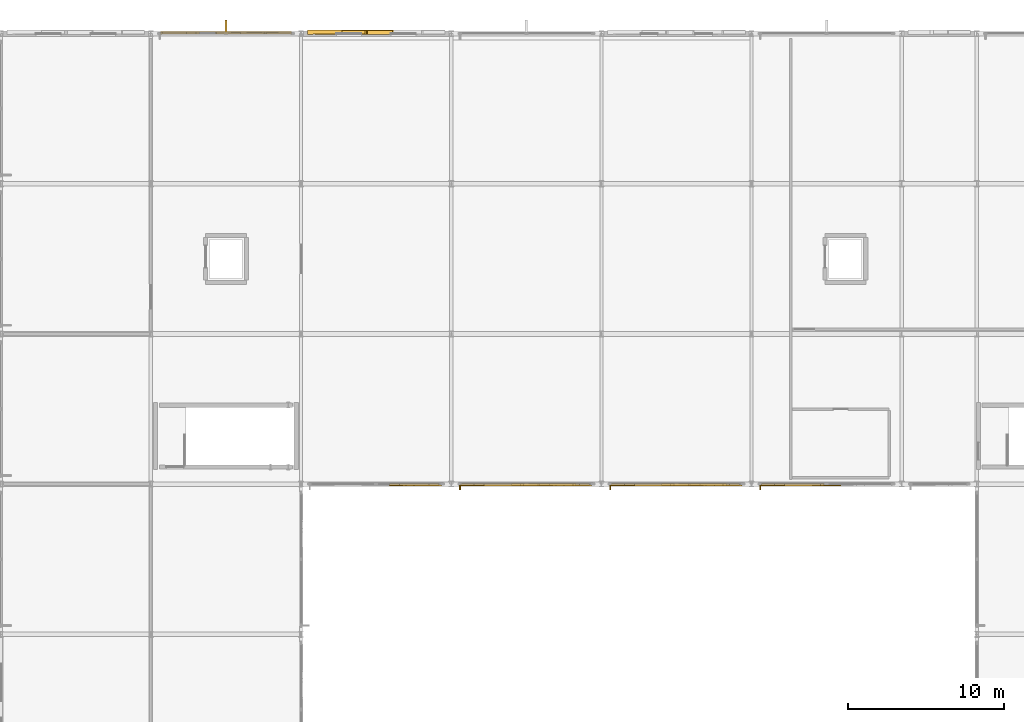
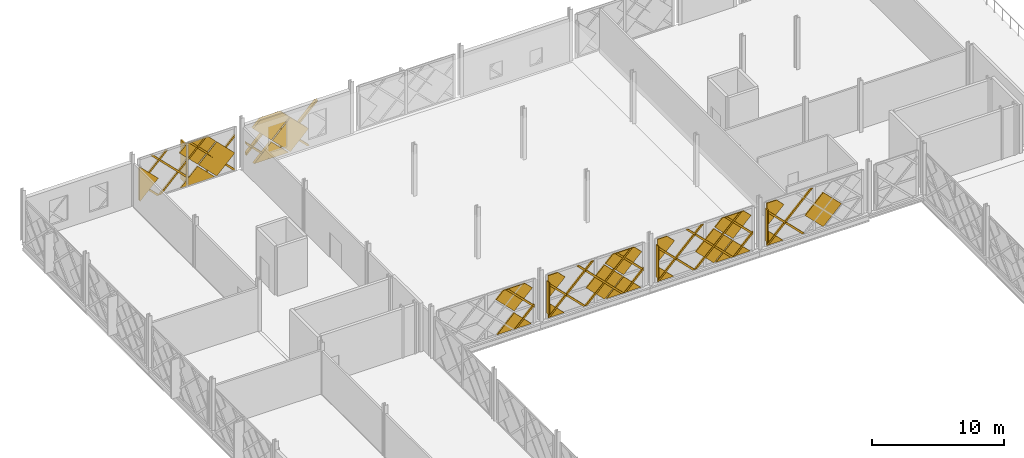
# One storey, part 66 of 77: 49 coverings, 3 shading devices.
"""IFC4 building model written with IfcOpenShell, lengths in metres."""

from ifc_helpers import new_model, si_unit, direction, frame, origin, origin_2d, place, context, subcontext, project, spatial, polyline, rectangle, outline, extrude, material, layer, layer_set, type_object, element, save


model = new_model("IFC4")

# Units and contexts
model_context = context("Model", 3, precision=1e-05, world=origin(), true_north=direction((0.0, 1.0)))
body_context = subcontext(model_context, "Body", "Model", "MODEL_VIEW")
ifc_project = project(units=[si_unit("LENGTHUNIT", "METRE"), si_unit("AREAUNIT", "SQUARE_METRE"), si_unit("VOLUMEUNIT", "CUBIC_METRE"), si_unit("PLANEANGLEUNIT", "RADIAN"), si_unit("MASSUNIT", "GRAM", prefix="KILO")], contexts=[model_context])

# Site, building, storey
site_placement = place(None, origin())
site = spatial("IfcSite", under=ifc_project, at=site_placement, CompositionType="ELEMENT")
building_placement = place(site_placement, origin())
building = spatial("IfcBuilding", under=site, at=building_placement, Name="Zevrakil Square Congress Hotel", CompositionType="ELEMENT")
storey_placement = place(building_placement, frame((0.0, 0.0, 9.89990234375)))
storey = spatial("IfcBuildingStorey", under=building, at=storey_placement, Name="L03", CompositionType="ELEMENT", Elevation=9.89990234375)

# Coverings
ifc_material_1 = material(Name="Architectural White Fibre-C GRC", Category="concrete")
ifc_layer_1 = layer(ifc_material_1, 0.06494140625)
ifc_layer_set_1 = layer_set([ifc_layer_1], Name="Architectural White Fibre-C GRC")
covering_type_1 = type_object("IfcCoveringType", Name="COV-DIA-WHITE", PredefinedType="CLADDING", material=ifc_layer_set_1)
covering_1_placement = place(storey_placement, frame((60.919921875, 112.89404296875, 1.590087890625), z_axis=(0.0, 0.999999790873, 0.000646725815), x_axis=(-0.707106707249, 0.000457304257, -0.707106707249)))
element("IfcCovering", 1, at=covering_1_placement, inside=storey, type_object=covering_type_1, Name="L03 45-degree white GRC diamond facade cassette 623", PredefinedType="CLADDING", context=body_context, shape_type="SweptSolid", body=[
    extrude(outline(polyline([(0.0, 0.0), (2.1354765131557993, 0.0), (4.465861884739297e-07, -2.1354765131557527), (0.0, 0.0)])), origin(), (0.0, 0.0, -1.0), 0.1201171875),
])
covering_2_placement = place(storey_placement, frame((62.60009765625, 112.89306640625, 3.27001953125), z_axis=(0.0, 0.999999812555, 0.000612282237), x_axis=(-0.707161000838, 0.000432915721, -0.707052424844)))
element("IfcCovering", 2, at=covering_2_placement, inside=storey, type_object=covering_type_1, Name="L03 45-degree white GRC diamond facade cassette 624", PredefinedType="CLADDING", context=body_context, shape_type="SweptSolid", body=[
    extrude(outline(polyline([(0.0, 0.0), (2.2485514454845923, 0.0), (2.248379222880032, -2.2487240657380214), (0.013983748838055643, -2.248379882955194), (-0.0001711092764935529, -2.234222853853795), (0.0, 0.0)])), origin(), (0.0, 0.0, -1.0), 0.1201171875),
])
covering_3_placement = place(storey_placement, frame((55.8798828125, 112.89501953125, 0.090087890625), z_axis=(4.3911e-08, 0.999999810879, 0.000615014432), x_axis=(0.707106714509, -0.000434911966, 0.707106714116)))
element("IfcCovering", 3, at=covering_3_placement, inside=storey, type_object=covering_type_1, Name="L03 45-degree white GRC diamond facade cassette 625", PredefinedType="CLADDING", context=body_context, shape_type="SweptSolid", body=[
    extrude(outline(polyline([(0.0, 0.0), (2.2487240723345274, -2.220446049250313e-16), (2.248551862954323, -2.2485514388919943), (2.1639614601190895, -2.2485514548663854), (0.00017263345166069338, -0.0847630362800969), (0.0, 0.0)])), origin(), (0.0, 0.0, -1.0), 0.1201171875),
])
covering_4_placement = place(storey_placement, frame((59.330078125, 112.89306640625, 3.360107421875), z_axis=(0.0, 0.999999833525, 0.000577018806), x_axis=(0.70705245556, 0.000408045255, -0.707160984914)))
element("IfcCovering", 4, at=covering_4_placement, inside=storey, type_object=covering_type_1, Name="L03 45-degree white GRC diamond facade cassette 626", PredefinedType="CLADDING", context=body_context, shape_type="SweptSolid", body=[
    extrude(outline(polyline([(0.0, 0.0), (2.2485513450909322, -2.220446049250313e-16), (2.2483784750178573, -2.2487239653021844), (1.3361829853145168, -2.248654009101226), (-7.020279398489704e-05, -0.9121954896843962), (0.0, 0.0)])), origin(), (0.0, 0.0, -1.0), 0.1201171875),
])
covering_5_placement = place(storey_placement, frame((67.3798828125, 112.9990234375, 1.590087890625), z_axis=(0.0, 0.999999790873, 0.000646725815), x_axis=(-0.707049537273, 0.000457341227, -0.707163872579)))
element("IfcCovering", 5, at=covering_5_placement, inside=storey, type_object=covering_type_1, Name="L03 45-degree white GRC diamond facade cassette 647", PredefinedType="CLADDING", context=body_context, shape_type="SweptSolid", body=[
    extrude(outline(polyline([(0.0, 0.0), (2.135303886660825, 0.0), (0.00017309405212095896, -2.1354765061406087), (0.0, 0.0)])), origin(), (0.0, 0.0, -1.0), 0.239990234375),
])
covering_6_placement = place(storey_placement, frame((69.06005859375, 112.998046875, 3.27001953125), z_axis=(0.0, 0.999999811377, 0.000614203339), x_axis=(-0.707161000837, 0.000434274042, -0.707052424012)))
element("IfcCovering", 6, at=covering_6_placement, inside=storey, type_object=covering_type_1, Name="L03 45-degree white GRC diamond facade cassette 648", PredefinedType="CLADDING", context=body_context, shape_type="SweptSolid", body=[
    extrude(outline(polyline([(0.0, 0.0), (2.2485514454867683, 0.0), (2.2483792228863573, -2.248724065739994), (-0.0001721960923970478, -2.248378798790573), (0.0, 0.0)])), origin(), (0.0, 0.0, -1.0), 0.239990234375),
])
covering_7_placement = place(storey_placement, frame((65.7900390625, 112.998046875, 3.360107421875), z_axis=(0.0, 0.999999833525, 0.000577018806), x_axis=(0.70705245556, 0.000408045255, -0.707160984914)))
element("IfcCovering", 7, at=covering_7_placement, inside=storey, type_object=covering_type_1, Name="L03 45-degree white GRC diamond facade cassette 650", PredefinedType="CLADDING", context=body_context, shape_type="SweptSolid", body=[
    extrude(outline(polyline([(0.0, 0.0), (2.2485513450909322, -2.220446049250313e-16), (2.2483784750178573, -2.2487239653021844), (1.3361829853145168, -2.248654009101226), (-7.020279398489704e-05, -0.9121954896843962), (0.0, 0.0)])), origin(), (0.0, 0.0, -1.0), 0.239990234375),
])
covering_8_placement = place(storey_placement, frame((72.0400390625, 83.906005859375, 1.590087890625), z_axis=(0.0, -0.999999790873, 0.000646725815), x_axis=(0.707106707249, -0.000457304257, -0.707106707249)))
element("IfcCovering", 8, at=covering_8_placement, inside=storey, type_object=covering_type_1, Name="L03 45-degree white GRC diamond facade cassette 1545", PredefinedType="CLADDING", context=body_context, shape_type="SweptSolid", body=[
    extrude(outline(polyline([(0.0, 0.0), (2.1354765131557993, 0.0), (4.465861884739297e-07, -2.1354765131557527), (0.0, 0.0)])), origin(), (0.0, 0.0, -1.0), 0.1201171875),
])
covering_9_placement = place(storey_placement, frame((73.6298828125, 83.906982421875, 3.360107421875), z_axis=(0.0, -0.999999775377, 0.000670258835), x_axis=(-0.707052424547, -0.000473980998, -0.707160974802)))
element("IfcCovering", 9, at=covering_9_placement, inside=storey, type_object=covering_type_1, Name="L03 45-degree white GRC diamond facade cassette 1548", PredefinedType="CLADDING", context=body_context, shape_type="SweptSolid", body=[
    extrude(outline(polyline([(0.0, 0.0), (2.248551443717164, -2.220446049250313e-16), (2.2483783763992125, -2.248724063905673), (1.3361828810270209, -2.248654073371083), (-0.00024286869142081668, -0.9120228485912198), (0.0, 0.0)])), origin(), (0.0, 0.0, -1.0), 0.1201171875),
])
covering_10_placement = place(storey_placement, frame((76.429931640625, 83.905029296875, 0.080078125), z_axis=(0.0, -0.999999760125, 0.000692640526), x_axis=(-1.0, 0.0, 0.0)))
element("IfcCovering", 10, at=covering_10_placement, inside=storey, type_object=covering_type_1, Name="L03 45-degree white GRC diamond facade cassette 1586", PredefinedType="CLADDING", context=body_context, shape_type="SweptSolid", body=[
    extrude(outline(polyline([(0.0, 0.0), (1.409912109375, 0.0), (1.409912109375, -1.4099124475784228), (0.0, 0.0)])), origin(), (0.0, 0.0, -1.0), 0.1201171875),
])
covering_11_placement = place(storey_placement, frame((81.639892578125, 83.906005859375, 1.590087890625), z_axis=(0.0, -0.999999790873, 0.000646725815), x_axis=(0.707106707249, -0.000457304257, -0.707106707249)))
element("IfcCovering", 11, at=covering_11_placement, inside=storey, type_object=covering_type_1, Name="L03 45-degree white GRC diamond facade cassette 1587", PredefinedType="CLADDING", context=body_context, shape_type="SweptSolid", body=[
    extrude(outline(polyline([(0.0, 0.0), (2.1354765131557993, 0.0), (4.465861884739297e-07, -2.1354765131557527), (0.0, 0.0)])), origin(), (0.0, 0.0, -1.0), 0.1201171875),
])
covering_12_placement = place(storey_placement, frame((79.9599609375, 83.906982421875, 3.27001953125), z_axis=(0.0, -0.999999811377, 0.000614203339), x_axis=(0.707161000837, -0.000434274042, -0.707052424012)))
element("IfcCovering", 12, at=covering_12_placement, inside=storey, type_object=covering_type_1, Name="L03 45-degree white GRC diamond facade cassette 1588", PredefinedType="CLADDING", context=body_context, shape_type="SweptSolid", body=[
    extrude(outline(polyline([(0.0, 0.0), (2.2485514454867683, 0.0), (2.2483792228863573, -2.248724065739994), (-0.0001721960923970478, -2.248378798790573), (0.0, 0.0)])), origin(), (0.0, 0.0, -1.0), 0.1201171875),
])
covering_13_placement = place(storey_placement, frame((76.510009765625, 83.906982421875, 3.360107421875), z_axis=(-2.6201832e-05, -0.999999757117, 0.000696476053), x_axis=(-0.707106705563, -0.000473955506, -0.70710669797)))
element("IfcCovering", 13, at=covering_13_placement, inside=storey, type_object=covering_type_1, Name="L03 45-degree white GRC diamond facade cassette 1589", PredefinedType="CLADDING", context=body_context, shape_type="SweptSolid", body=[
    extrude(outline(polyline([(0.0, 0.0), (2.1071646234335564, 0.0), (0.5974842236581275, -1.5096800770776109), (-2.2652588360649872e-07, -0.9121954995045182), (0.0, 0.0)])), origin(), (0.0, 0.0, -1.0), 0.1201171875),
])
covering_14_placement = place(storey_placement, frame((83.22998046875, 83.906982421875, 3.360107421875), z_axis=(0.0, -0.999999775378, 0.000670257195), x_axis=(-0.707106715065, -0.000473943452, -0.707106688476)))
element("IfcCovering", 14, at=covering_14_placement, inside=storey, type_object=covering_type_1, Name="L03 45-degree white GRC diamond facade cassette 1590", PredefinedType="CLADDING", context=body_context, shape_type="SweptSolid", body=[
    extrude(outline(polyline([(0.0, 0.0), (2.2487240705656193, 0.0), (2.2485510165332463, -2.248551437057936), (1.3363555184760192, -2.248551480726338), (-2.1426746327213309e-07, -0.9121954980572029), (0.0, 0.0)])), origin(), (0.0, 0.0, -1.0), 0.1201171875),
])
covering_15_placement = place(storey_placement, frame((86.030029296875, 83.905029296875, 0.080078125), z_axis=(0.0, -0.999999760125, 0.000692640526), x_axis=(-1.0, 0.0, 0.0)))
element("IfcCovering", 15, at=covering_15_placement, inside=storey, type_object=covering_type_1, Name="L03 45-degree white GRC diamond facade cassette 1628", PredefinedType="CLADDING", context=body_context, shape_type="SweptSolid", body=[
    extrude(outline(polyline([(0.0, 0.0), (1.409912109375, 0.0), (1.409912109375, -1.4099124475784228), (0.0, 0.0)])), origin(), (0.0, 0.0, -1.0), 0.1201171875),
])
covering_16_placement = place(storey_placement, frame((91.239990234375, 83.906005859375, 1.590087890625), z_axis=(0.0, -0.999999790873, 0.000646725815), x_axis=(0.707106707249, -0.000457304257, -0.707106707249)))
element("IfcCovering", 16, at=covering_16_placement, inside=storey, type_object=covering_type_1, Name="L03 45-degree white GRC diamond facade cassette 1629", PredefinedType="CLADDING", context=body_context, shape_type="SweptSolid", body=[
    extrude(outline(polyline([(0.0, 0.0), (2.1354765131557993, 0.0), (4.465861884739297e-07, -2.1354765131557527), (0.0, 0.0)])), origin(), (0.0, 0.0, -1.0), 0.1201171875),
])
covering_17_placement = place(storey_placement, frame((89.56005859375, 83.906982421875, 3.27001953125), z_axis=(0.0, -0.999999811377, 0.000614203339), x_axis=(0.707106714488, -0.000434307387, -0.707106714509)))
element("IfcCovering", 17, at=covering_17_placement, inside=storey, type_object=covering_type_1, Name="L03 45-degree white GRC diamond facade cassette 1630", PredefinedType="CLADDING", context=body_context, shape_type="SweptSolid", body=[
    extrude(outline(polyline([(0.0, 0.0), (2.2483788053845455, -2.220446049250313e-16), (2.2485518630206376, -2.24855143882716), (-0.00017220931434658304, -2.2485514388922905), (0.0, 0.0)])), origin(), (0.0, 0.0, -1.0), 0.1201171875),
])
covering_18_placement = place(storey_placement, frame((86.110107421875, 83.906982421875, 3.360107421875), z_axis=(-2.6201832e-05, -0.999999757117, 0.000696476053), x_axis=(-0.707106705563, -0.000473955506, -0.70710669797)))
element("IfcCovering", 18, at=covering_18_placement, inside=storey, type_object=covering_type_1, Name="L03 45-degree white GRC diamond facade cassette 1631", PredefinedType="CLADDING", context=body_context, shape_type="SweptSolid", body=[
    extrude(outline(polyline([(0.0, 0.0), (2.1071646234335564, 0.0), (0.5974842236581275, -1.5096800770776109), (-2.2652588360649872e-07, -0.9121954995045182), (0.0, 0.0)])), origin(), (0.0, 0.0, -1.0), 0.1201171875),
])
covering_19_placement = place(storey_placement, frame((92.830078125, 83.906982421875, 3.360107421875), z_axis=(0.0, -0.999999775377, 0.00067025786), x_axis=(-0.707106715065, -0.000473943922, -0.707106688476)))
element("IfcCovering", 19, at=covering_19_placement, inside=storey, type_object=covering_type_1, Name="L03 45-degree white GRC diamond facade cassette 1632", PredefinedType="CLADDING", context=body_context, shape_type="SweptSolid", body=[
    extrude(outline(polyline([(0.0, 0.0), (2.2487240705655767, 0.0), (2.2487236500086456, -2.2487240705655376), (1.3365281519513923, -2.248724114233983), (-2.142674725980065e-07, -0.9121954980572293), (0.0, 0.0)])), origin(), (0.0, 0.0, -1.0), 0.1201171875),
])
covering_20_placement = place(storey_placement, frame((95.6298828125, 83.905029296875, 0.080078125), z_axis=(0.0, -0.999999760125, 0.000692640526), x_axis=(-1.0, 0.0, 0.0)))
element("IfcCovering", 20, at=covering_20_placement, inside=storey, type_object=covering_type_1, Name="L03 45-degree white GRC diamond facade cassette 1670", PredefinedType="CLADDING", context=body_context, shape_type="SweptSolid", body=[
    extrude(outline(polyline([(0.0, 0.0), (1.409912109375, 0.0), (1.409912109375, -1.4099124475784228), (0.0, 0.0)])), origin(), (0.0, 0.0, -1.0), 0.1201171875),
])
covering_21_placement = place(storey_placement, frame((99.159912109375, 83.906982421875, 3.27001953125), z_axis=(0.0, -0.999999811377, 0.000614203339), x_axis=(0.707161000837, -0.000434274042, -0.707052424012)))
element("IfcCovering", 21, at=covering_21_placement, inside=storey, type_object=covering_type_1, Name="L03 45-degree white GRC diamond facade cassette 1672", PredefinedType="CLADDING", context=body_context, shape_type="SweptSolid", body=[
    extrude(outline(polyline([(0.0, 0.0), (2.2485514454867683, 0.0), (2.2483792228863573, -2.248724065739994), (-0.0001721960923970478, -2.248378798790573), (0.0, 0.0)])), origin(), (0.0, 0.0, -1.0), 0.1201171875),
])
covering_22_placement = place(storey_placement, frame((95.7099609375, 83.906982421875, 3.360107421875), z_axis=(-2.6201832e-05, -0.999999757117, 0.000696476053), x_axis=(-0.707106705563, -0.000473955506, -0.70710669797)))
element("IfcCovering", 22, at=covering_22_placement, inside=storey, type_object=covering_type_1, Name="L03 45-degree white GRC diamond facade cassette 1673", PredefinedType="CLADDING", context=body_context, shape_type="SweptSolid", body=[
    extrude(outline(polyline([(0.0, 0.0), (2.1071646234335564, 0.0), (0.5974842236581275, -1.5096800770776109), (-2.2652588360649872e-07, -0.9121954995045182), (0.0, 0.0)])), origin(), (0.0, 0.0, -1.0), 0.1201171875),
])
ifc_material_2 = material(Name="Anodised Champagne Aluminium", Category="aluminium")
ifc_layer_2 = layer(ifc_material_2, 0.0849609375)
ifc_layer_set_2 = layer_set([ifc_layer_2], Name="Anodised Champagne Aluminium")
covering_type_2 = type_object("IfcCoveringType", Name="COV-DIAGRID-45", PredefinedType="MOLDING", material=ifc_layer_set_2)
covering_23_placement = place(storey_placement, frame((64.093994140625, 112.919921875, 0.080078125), z_axis=(-0.000186814305, 0.999999885222, 0.000441199743), x_axis=(0.99999998255, 0.000186814287, 8.2422e-08)))
element("IfcCovering", 23, at=covering_23_placement, inside=storey, type_object=covering_type_2, Name="L03 45-degree aluminium diagrid rib 627", PredefinedType="MOLDING", context=body_context, shape_type="SweptSolid", body=[
    extrude(outline(polyline([(0.0, 0.0), (0.08593749850040845, 0.0), (0.08593750890382487, -0.12622069084011384), (-3.7128906927883554, -3.9250495232532634), (-3.9250488922112385, -3.9250495232532634), (0.0, 0.0)])), origin(), (0.0, 0.0, -1.0), 0.14501953125),
])
covering_24_placement = place(storey_placement, frame((60.73388671875, 112.919921875, 0.080078125), z_axis=(0.0, 0.999999806554, 0.000622006473), x_axis=(1.0, 0.0, 0.0)))
element("IfcCovering", 24, at=covering_24_placement, inside=storey, type_object=covering_type_2, Name="L03 45-degree aluminium diagrid rib 628", PredefinedType="MOLDING", context=body_context, shape_type="SweptSolid", body=[
    extrude(outline(polyline([(0.0, 0.0), (0.212158203125, 0.0), (-3.712890625, -3.9250495874103186), (-3.925048828125, -3.9250495874103186), (0.0, 0.0)])), origin(), (0.0, 0.0, -1.0), 0.14501953125),
])
covering_25_placement = place(storey_placement, frame((57.373779296875, 112.919921875, 0.080078125), z_axis=(-0.000293980909, 0.999999913476, 0.000294319207), x_axis=(0.999999956788, 0.000293980897, 8.6524e-08)))
element("IfcCovering", 25, at=covering_25_placement, inside=storey, type_object=covering_type_2, Name="L03 45-degree aluminium diagrid rib 629", PredefinedType="MOLDING", context=body_context, shape_type="SweptSolid", body=[
    extrude(outline(polyline([(0.0, 0.0), (0.21240233457158741, 0.0), (-1.5537110046395635, -1.7661134921773871), (-1.553711022996389, -1.5539552982413625), (0.0, 0.0)])), origin(), (0.0, 0.0, -1.0), 0.14501953125),
])
covering_26_placement = place(storey_placement, frame((64.179931640625, 112.918212890625, 3.154052734375), z_axis=(-0.000287317256, 0.999999586254, 0.000863099624), x_axis=(-8.2646e-08, -0.000863099684, 0.999999627529)))
element("IfcCovering", 26, at=covering_26_placement, inside=storey, type_object=covering_type_2, Name="L03 45-degree aluminium diagrid rib 630", PredefinedType="MOLDING", context=body_context, shape_type="SweptSolid", body=[
    extrude(outline(polyline([(0.0, 0.0), (0.212158334820002, 0.0), (-3.0739746678474664, -3.286133202189314), (-3.0739746854017027, -3.07373086720635), (0.0, 0.0)])), origin(), (0.0, 0.0, -1.0), 0.14501953125),
])
covering_27_placement = place(storey_placement, frame((61.671142578125, 112.91748046875, 4.005126953125), z_axis=(0.0, 0.999999806554, 0.000622006473), x_axis=(-1.0, 0.0, 0.0)))
element("IfcCovering", 27, at=covering_27_placement, inside=storey, type_object=covering_type_2, Name="L03 45-degree aluminium diagrid rib 631", PredefinedType="MOLDING", context=body_context, shape_type="SweptSolid", body=[
    extrude(outline(polyline([(0.0, 0.0), (0.212158203125, 0.0), (4.13720703125, -3.9250495874103186), (3.925048828125, -3.9250495874103186), (0.0, 0.0)])), origin(), (0.0, 0.0, -1.0), 0.14501953125),
])
covering_28_placement = place(storey_placement, frame((58.31103515625, 112.91748046875, 4.005126953125), z_axis=(-0.00024217289, 0.99999955887, 0.00090753025), x_axis=(-0.999999970676, -0.00024217279, -2.19779e-07)))
element("IfcCovering", 28, at=covering_28_placement, inside=storey, type_object=covering_type_2, Name="L03 45-degree aluminium diagrid rib 632", PredefinedType="MOLDING", context=body_context, shape_type="SweptSolid", body=[
    extrude(outline(polyline([(0.0, 0.0), (0.21215819690370366, -5.6157808774107894e-24), (2.490966869919751, -2.2788089847137165), (2.490966857477158, -2.4912114625602326), (0.0, 0.0)])), origin(), (0.0, 0.0, -1.0), 0.14501953125),
])
covering_29_placement = place(storey_placement, frame((70.553955078125, 113.02490234375, 0.080078125), z_axis=(0.0, 0.999999843309, 0.000559805846), x_axis=(1.0, 0.0, 0.0)))
element("IfcCovering", 29, at=covering_29_placement, inside=storey, type_object=covering_type_2, Name="L03 45-degree aluminium diagrid rib 652", PredefinedType="MOLDING", context=body_context, shape_type="SweptSolid", body=[
    extrude(outline(polyline([(0.0, 0.0), (0.212158203125, 0.0), (-3.712890625, -3.9250494431461194), (-3.925048828125, -3.9250494431461194), (0.0, 0.0)])), origin(), (0.0, 0.0, -1.0), 0.264892578125),
])
covering_30_placement = place(storey_placement, frame((67.19384765625, 113.02490234375, 0.080078125), z_axis=(-0.000290646956, 0.999999915524, 0.000290646956), x_axis=(0.999999957762, 0.000290646943, 8.4476e-08)))
element("IfcCovering", 30, at=covering_30_placement, inside=storey, type_object=covering_type_2, Name="L03 45-degree aluminium diagrid rib 653", PredefinedType="MOLDING", context=body_context, shape_type="SweptSolid", body=[
    extrude(outline(polyline([(0.0, 0.0), (0.21215819416389847, -2.8078904387053947e-24), (-1.9938965685928591, -2.2060549491146975), (-1.9938965865150626, -1.9938967549507998), (0.0, 0.0)])), origin(), (0.0, 0.0, -1.0), 0.264892578125),
])
covering_31_placement = place(storey_placement, frame((71.4912109375, 113.022705078125, 4.005126953125), z_axis=(0.0, 0.999999843309, 0.000559805846), x_axis=(-1.0, 0.0, 0.0)))
element("IfcCovering", 31, at=covering_31_placement, inside=storey, type_object=covering_type_2, Name="L03 45-degree aluminium diagrid rib 655", PredefinedType="MOLDING", context=body_context, shape_type="SweptSolid", body=[
    extrude(outline(polyline([(0.0, 0.0), (0.21240234375, 0.0), (4.13720703125, -3.9250494431461194), (3.925048828125, -3.9250494431461194), (0.0, 0.0)])), origin(), (0.0, 0.0, -1.0), 0.264892578125),
])
covering_32_placement = place(storey_placement, frame((68.131103515625, 113.022705078125, 4.005126953125), z_axis=(-0.000294511409, 0.999999590061, 0.000856236106), x_axis=(-0.999999956632, -0.000294511301, -2.52171e-07)))
element("IfcCovering", 32, at=covering_32_placement, inside=storey, type_object=covering_type_2, Name="L03 45-degree aluminium diagrid rib 656", PredefinedType="MOLDING", context=body_context, shape_type="SweptSolid", body=[
    extrude(outline(polyline([(0.0, 0.0), (0.21215819392401997, 0.0), (2.9311524708696437, -2.7189943981748455), (2.9311524524676837, -2.931152732570991), (0.0, 0.0)])), origin(), (0.0, 0.0, -1.0), 0.264892578125),
])
covering_33_placement = place(storey_placement, frame((72.22607421875, 83.8798828125, 0.080078125), z_axis=(0.000367674044, -0.999999864816, 0.000367674044), x_axis=(-0.999999932408, -0.000367674019, 1.35184e-07)))
element("IfcCovering", 33, at=covering_33_placement, inside=storey, type_object=covering_type_2, Name="L03 45-degree aluminium diagrid rib 1551", PredefinedType="MOLDING", context=body_context, shape_type="SweptSolid", body=[
    extrude(outline(polyline([(0.0, 0.0), (0.21215818878478077, 0.0), (-1.5539551831600997, -1.766113610695557), (-1.553955211840539, -1.553955421910778), (0.0, 0.0)])), origin(), (0.0, 0.0, -1.0), 0.14501953125),
])
covering_34_placement = place(storey_placement, frame((71.288818359375, 83.88232421875, 4.005126953125), z_axis=(0.000293209811, -0.999999590462, 0.000856215006), x_axis=(0.999999957014, 0.000293209703, -2.51051e-07)))
element("IfcCovering", 34, at=covering_34_placement, inside=storey, type_object=covering_type_2, Name="L03 45-degree aluminium diagrid rib 1554", PredefinedType="MOLDING", context=body_context, shape_type="SweptSolid", body=[
    extrude(outline(polyline([(0.0, 0.0), (0.21240233461967334, -1.124448645189272e-23), (2.4912110445871916, -2.2788088036321503), (2.4912110263265377, -2.4912112785624863), (0.0, 0.0)])), origin(), (0.0, 0.0, -1.0), 0.14501953125),
])
covering_35_placement = place(storey_placement, frame((75.106201171875, 83.8798828125, 0.080078125), z_axis=(-0.000393887751, -0.999999419193, 0.001003227443), x_axis=(-0.999999922426, 0.000393887553, -3.95159e-07)))
element("IfcCovering", 35, at=covering_35_placement, inside=storey, type_object=covering_type_2, Name="L03 45-degree aluminium diagrid rib 1591", PredefinedType="MOLDING", context=body_context, shape_type="SweptSolid", body=[
    extrude(outline(polyline([(0.0, 0.0), (0.0861816339395641, 4.562418066112793e-24), (0.08618168022626656, -0.12622088453518898), (-3.7126467857499277, -3.9250493021974093), (-3.9248049724170135, -3.9250493021974093), (0.0, 0.0)])), origin(), (0.0, 0.0, -1.0), 0.14501953125),
])
covering_36_placement = place(storey_placement, frame((78.466064453125, 83.8798828125, 0.080078125), z_axis=(0.0, -0.999999806554, 0.000622006473), x_axis=(-1.0, 0.0, 0.0)))
element("IfcCovering", 36, at=covering_36_placement, inside=storey, type_object=covering_type_2, Name="L03 45-degree aluminium diagrid rib 1592", PredefinedType="MOLDING", context=body_context, shape_type="SweptSolid", body=[
    extrude(outline(polyline([(0.0, 0.0), (0.212158203125, 0.0), (-3.712890625, -3.9250495874103186), (-3.925048828125, -3.9250495874103186), (0.0, 0.0)])), origin(), (0.0, 0.0, -1.0), 0.14501953125),
])
covering_37_placement = place(storey_placement, frame((81.826171875, 83.8798828125, 0.080078125), z_axis=(0.000367701083, -0.999999864796, 0.000367701083), x_axis=(-0.999999932398, -0.000367701058, 1.35204e-07)))
element("IfcCovering", 37, at=covering_37_placement, inside=storey, type_object=covering_type_2, Name="L03 45-degree aluminium diagrid rib 1593", PredefinedType="MOLDING", context=body_context, shape_type="SweptSolid", body=[
    extrude(outline(polyline([(0.0, 0.0), (0.2121581887826715, 0.0), (-1.5537110425340446, -1.7661136107110047), (-1.5537110712187026, -1.5539554219283351), (0.0, 0.0)])), origin(), (0.0, 0.0, -1.0), 0.14501953125),
])
covering_38_placement = place(storey_placement, frame((75.02001953125, 83.8818359375, 3.154052734375), z_axis=(0.000249090824, -0.999999562484, 0.000901656659), x_axis=(6.2046e-08, 0.000901656702, 0.999999593508)))
element("IfcCovering", 38, at=covering_38_placement, inside=storey, type_object=covering_type_2, Name="L03 45-degree aluminium diagrid rib 1594", PredefinedType="MOLDING", context=body_context, shape_type="SweptSolid", body=[
    extrude(outline(polyline([(0.0, 0.0), (0.21215833701531478, 1.3234889800848443e-23), (-3.073974916983605, -3.2861331051745672), (-3.073974930147215, -3.073974908631377), (0.0, 0.0)])), origin(), (0.0, 0.0, -1.0), 0.14501953125),
])
covering_39_placement = place(storey_placement, frame((77.52880859375, 83.88232421875, 4.005126953125), z_axis=(0.0, -0.999999806554, 0.000622006473), x_axis=(1.0, 0.0, 0.0)))
element("IfcCovering", 39, at=covering_39_placement, inside=storey, type_object=covering_type_2, Name="L03 45-degree aluminium diagrid rib 1595", PredefinedType="MOLDING", context=body_context, shape_type="SweptSolid", body=[
    extrude(outline(polyline([(0.0, 0.0), (0.21240234375, 0.0), (4.13720703125, -3.9250495874103186), (3.925048828125, -3.9250495874103186), (0.0, 0.0)])), origin(), (0.0, 0.0, -1.0), 0.14501953125),
])
covering_40_placement = place(storey_placement, frame((80.888916015625, 83.88232421875, 4.005126953125), z_axis=(0.000293385932, -0.999999590272, 0.00085637611), x_axis=(0.999999956962, 0.000293385824, -2.51249e-07)))
element("IfcCovering", 40, at=covering_40_placement, inside=storey, type_object=covering_type_2, Name="L03 45-degree aluminium diagrid rib 1596", PredefinedType="MOLDING", context=body_context, shape_type="SweptSolid", body=[
    extrude(outline(polyline([(0.0, 0.0), (0.21215819399420877, 0.0), (2.49096690408037, -2.2788088035144427), (2.4909668858187866, -2.4912112784548097), (0.0, 0.0)])), origin(), (0.0, 0.0, -1.0), 0.14501953125),
])
covering_41_placement = place(storey_placement, frame((84.7060546875, 83.8798828125, 0.080078125), z_axis=(-0.000394116572, -0.999999418881, 0.001003448905), x_axis=(-0.999999922336, 0.000394116374, -3.95476e-07)))
element("IfcCovering", 41, at=covering_41_placement, inside=storey, type_object=covering_type_2, Name="L03 45-degree aluminium diagrid rib 1633", PredefinedType="MOLDING", context=body_context, shape_type="SweptSolid", body=[
    extrude(outline(polyline([(0.0, 0.0), (0.08593749332575522, -4.549493369041652e-24), (0.0859375396283302, -0.12622088456121056), (-3.7128909267062244, -3.925049301865935), (-3.9250491133541825, -3.925049301865935), (0.0, 0.0)])), origin(), (0.0, 0.0, -1.0), 0.14501953125),
])
covering_42_placement = place(storey_placement, frame((88.066162109375, 83.8798828125, 0.080078125), z_axis=(0.0, -0.999999806554, 0.000622006473), x_axis=(-1.0, 0.0, 0.0)))
element("IfcCovering", 42, at=covering_42_placement, inside=storey, type_object=covering_type_2, Name="L03 45-degree aluminium diagrid rib 1634", PredefinedType="MOLDING", context=body_context, shape_type="SweptSolid", body=[
    extrude(outline(polyline([(0.0, 0.0), (0.212158203125, 0.0), (-3.712646484375, -3.9250495874103186), (-3.925048828125, -3.9250495874103186), (0.0, 0.0)])), origin(), (0.0, 0.0, -1.0), 0.14501953125),
])
covering_43_placement = place(storey_placement, frame((91.426025390625, 83.8798828125, 0.080078125), z_axis=(0.000367674044, -0.999999864816, 0.000367674044), x_axis=(-0.999999932408, -0.000367674019, 1.35184e-07)))
element("IfcCovering", 43, at=covering_43_placement, inside=storey, type_object=covering_type_2, Name="L03 45-degree aluminium diagrid rib 1635", PredefinedType="MOLDING", context=body_context, shape_type="SweptSolid", body=[
    extrude(outline(polyline([(0.0, 0.0), (0.21215818878478077, 0.0), (-1.5539551831600997, -1.766113610695557), (-1.553955211840539, -1.553955421910778), (0.0, 0.0)])), origin(), (0.0, 0.0, -1.0), 0.14501953125),
])
covering_44_placement = place(storey_placement, frame((84.6201171875, 83.8818359375, 3.154052734375), z_axis=(0.000249100386, -0.999999562491, 0.000901647097), x_axis=(6.2051e-08, 0.00090164714, 0.999999593516)))
element("IfcCovering", 44, at=covering_44_placement, inside=storey, type_object=covering_type_2, Name="L03 45-degree aluminium diagrid rib 1636", PredefinedType="MOLDING", context=body_context, shape_type="SweptSolid", body=[
    extrude(outline(polyline([(0.0, 0.0), (0.21215833701480946, 1.3234889800848443e-23), (-3.0739749169909265, -3.285888964564464), (-3.0739749301555475, -3.0737307680217794), (0.0, 0.0)])), origin(), (0.0, 0.0, -1.0), 0.14501953125),
])
covering_45_placement = place(storey_placement, frame((87.12890625, 83.88232421875, 4.005126953125), z_axis=(0.0, -0.999999806554, 0.000622006473), x_axis=(1.0, 0.0, 0.0)))
element("IfcCovering", 45, at=covering_45_placement, inside=storey, type_object=covering_type_2, Name="L03 45-degree aluminium diagrid rib 1637", PredefinedType="MOLDING", context=body_context, shape_type="SweptSolid", body=[
    extrude(outline(polyline([(0.0, 0.0), (0.212158203125, 0.0), (4.13720703125, -3.9250495874103186), (3.925048828125, -3.9250495874103186), (0.0, 0.0)])), origin(), (0.0, 0.0, -1.0), 0.14501953125),
])
covering_46_placement = place(storey_placement, frame((90.489013671875, 83.88232421875, 4.005126953125), z_axis=(0.000293385932, -0.999999590272, 0.00085637611), x_axis=(0.999999956962, 0.000293385824, -2.51249e-07)))
element("IfcCovering", 46, at=covering_46_placement, inside=storey, type_object=covering_type_2, Name="L03 45-degree aluminium diagrid rib 1638", PredefinedType="MOLDING", context=body_context, shape_type="SweptSolid", body=[
    extrude(outline(polyline([(0.0, 0.0), (0.21215819399420877, 0.0), (2.49096690408037, -2.2788088035144427), (2.4909668858187866, -2.4912112784548097), (0.0, 0.0)])), origin(), (0.0, 0.0, -1.0), 0.14501953125),
])
covering_47_placement = place(storey_placement, frame((94.30615234375, 83.8798828125, 0.080078125), z_axis=(-0.000393659195, -0.999999419505, 0.001003006237), x_axis=(-0.999999922516, 0.000393658997, -3.94843e-07)))
element("IfcCovering", 47, at=covering_47_placement, inside=storey, type_object=covering_type_2, Name="L03 45-degree aluminium diagrid rib 1675", PredefinedType="MOLDING", context=body_context, shape_type="SweptSolid", body=[
    extrude(outline(polyline([(0.0, 0.0), (0.0861816339473204, 0.0), (0.08618168021815598, -0.12622088450919142), (-3.71264678540028, -3.9250493025283064), (-3.9250491126925424, -3.9250493025283064), (0.0, 0.0)])), origin(), (0.0, 0.0, -1.0), 0.14501953125),
])
covering_48_placement = place(storey_placement, frame((94.219970703125, 83.8818359375, 3.154052734375), z_axis=(0.000249090824, -0.999999562484, 0.000901656659), x_axis=(6.2046e-08, 0.000901656702, 0.999999593508)))
element("IfcCovering", 48, at=covering_48_placement, inside=storey, type_object=covering_type_2, Name="L03 45-degree aluminium diagrid rib 1678", PredefinedType="MOLDING", context=body_context, shape_type="SweptSolid", body=[
    extrude(outline(polyline([(0.0, 0.0), (0.21215833701531478, 1.3234889800848443e-23), (-3.073974916983605, -3.2861331051745672), (-3.073974930147215, -3.073974908631377), (0.0, 0.0)])), origin(), (0.0, 0.0, -1.0), 0.14501953125),
])
ifc_material_3 = material(Name="Architectural White Fibre-C GRC", Category="concrete")
ifc_layer_3 = layer(ifc_material_3, 0.139892578125)
ifc_layer_set_3 = layer_set([ifc_layer_3], Name="Architectural White Fibre-C GRC")
covering_type_3 = type_object("IfcCoveringType", Name="COV-FIN-GRC90", PredefinedType="MOLDING", material=ifc_layer_set_3)
covering_49_placement = place(storey_placement, frame((60.0, 113.219970703125, 0.242431640625), z_axis=(0.0, 0.0, 1.0), x_axis=(0.0, 1.0, 0.0)))
element("IfcCovering", 49, at=covering_49_placement, inside=storey, type_object=covering_type_3, Name="L03 highland sun-breaker GRC fin 633", PredefinedType="MOLDING", context=body_context, shape_type="SweptSolid", body=[
    extrude(rectangle(XDim=0.89990234375, YDim=0.139892578125, at=origin_2d()), origin(), (0.0, 0.0, 1.0), 3.60009765625),
])

# Shading devices
ifc_material_4 = material(Name="Aluminium Anodised Bronze", Category="aluminium")
shading_device_type = type_object("IfcShadingDeviceType", Name="SHD-FIN-35", PredefinedType="JALOUSIE", material=ifc_material_4)
for number, where, z_axis, x_axis, name in (
    (50, (74.9599609375, 83.804931640625, 0.54248046875), (0.0, 0.0, 1.0), (0.0, -1.0, 0.0), "L03 aluminium solar shading fin 75"),
    (51, (84.56005859375, 83.804931640625, 0.54248046875), (0.0, 0.0, 1.0), (0.0, -1.0, 0.0), "L03 aluminium solar shading fin 79"),
    (52, (94.159912109375, 83.804931640625, 0.54248046875), (0.0, 0.0, 1.0), (0.0, -1.0, 0.0), "L03 aluminium solar shading fin 83"),
):
    element("IfcShadingDevice", number, at=place(storey_placement, frame(where, z_axis=z_axis, x_axis=x_axis)), inside=storey, type_object=shading_device_type, Name=name, PredefinedType="JALOUSIE", context=body_context, shape_type="SweptSolid", body=[
        extrude(rectangle(XDim=0.35009765625, YDim=0.080078125, at=origin_2d()), origin(), (0.0, 0.0, 1.0), 3.0),
    ])

save(model, "model.ifc")
